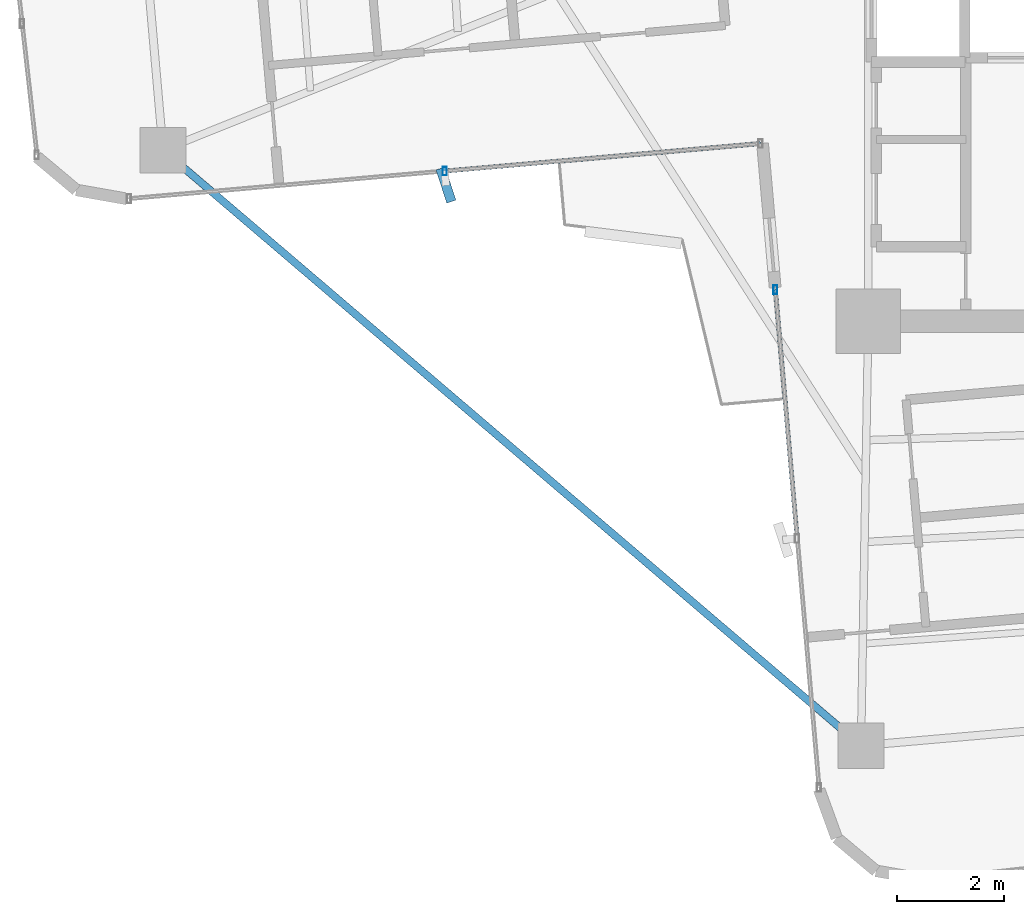
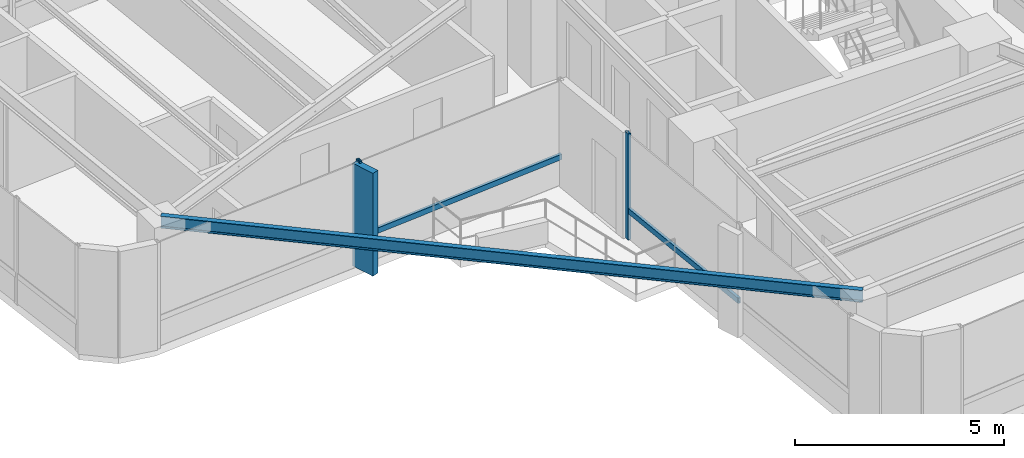
# One storey, part 4 of 24: 5 members, 1 beam, 2 elements without a shape of their own.
"""IFC4 building model written with IfcOpenShell, lengths in metres."""

from ifc_helpers import new_model, si_unit, direction, frame, origin, origin_2d, place, context, subcontext, project, spatial, rectangle, hollow_rectangle, i_section, extrude, source, transform, mapped, material, material_profile, profile_set, type_object, element, aggregate, save


model = new_model("IFC4")

# Units and contexts
model_context = context("Model", 3, precision=1e-05, world=origin(), true_north=direction((0.0, 1.0)))
body_context = subcontext(model_context, "Body", "Model", "MODEL_VIEW")
ifc_project = project(units=[si_unit("LENGTHUNIT", "METRE"), si_unit("AREAUNIT", "SQUARE_METRE"), si_unit("VOLUMEUNIT", "CUBIC_METRE"), si_unit("PLANEANGLEUNIT", "RADIAN"), si_unit("MASSUNIT", "GRAM", prefix="KILO")], contexts=[model_context])

# Site, building, storey
site_placement = place(None, origin())
site = spatial("IfcSite", under=ifc_project, at=site_placement, CompositionType="ELEMENT")
building_placement = place(site_placement, origin())
building = spatial("IfcBuilding", under=site, at=building_placement, Name="Sahyath Konkavel Grand Hotel", CompositionType="ELEMENT")
storey_placement = place(building_placement, frame((0.0, 0.0, 195.300048828125)))
storey = spatial("IfcBuildingStorey", under=building, at=storey_placement, Name="L54", CompositionType="ELEMENT", Elevation=195.300048828125)

# Beam
ifc_material_1 = material(Name="Steel E350", Category="steel")
ifc_material_profile_1 = material_profile(ifc_material_1, i_section(OverallWidth=0.139892578125, OverallDepth=0.35009765625, WebThickness=0.008056640625, FlangeThickness=0.01416015625, FilletRadius=0.013916015625, at=origin_2d()), Name="ISMB 350")
ifc_profile_set_1 = profile_set([ifc_material_profile_1], Name="Steel E350")
beam_type = type_object("IfcBeamType", Name="BM-ISMB350", PredefinedType="BEAM", material=ifc_profile_set_1)
shared_shape_1 = source(origin(), body_context, "Body", "SweptSolid", [
    extrude(i_section(OverallWidth=0.139892578125, OverallDepth=0.35009765625, WebThickness=0.008056640625, FlangeThickness=0.01416015625, FilletRadius=0.013916015625, at=origin_2d()), origin(), (0.0, 0.0, 1.0), 17.11279296875),
])
beam_placement = place(storey_placement, frame((-16.9541015625, -7.00439453125, 2.93505859375), z_axis=(0.760711911164, -0.649089661151, 0.0), x_axis=(0.649089661151, 0.760711911164, 0.0)))
element("IfcBeam", 1, at=beam_placement, inside=storey, type_object=beam_type, Name="L54 Re-Entrant Tie Beam SW", PredefinedType="BEAM", context=body_context, shape_type="MappedRepresentation", body=[
    mapped(shared_shape_1, transform((0.0, 0.0, 0.0), scale=1.0)),
])

# Curtain wall, member
ifc_material_2 = material(Name="Anodised Bronze Aluminium & Low-E Glazing", Category="aluminium")
curtain_wall_type = type_object("IfcCurtainWallType", Name="CW-ZONE3", PredefinedType="NOTDEFINED", material=ifc_material_2)
curtain_wall_1_placement = place(storey_placement, origin())
curtain_wall_1 = element("IfcCurtainWall", 2, at=curtain_wall_1_placement, inside=storey, type_object=curtain_wall_type, Name="L54 Unitised Curtain Wall F23", PredefinedType="NOTDEFINED")
ifc_material_3 = material(Name="Anodised Bronze Aluminium", Category="aluminium")
ifc_material_profile_2 = material_profile(ifc_material_3, hollow_rectangle(XDim=0.080078125, YDim=0.159912109375, WallThickness=0.006103515625, at=origin_2d()), Name="RHS 160x80x6")
ifc_profile_set_2 = profile_set([ifc_material_profile_2], Name="Anodised Bronze Aluminium")
member_type_1 = type_object("IfcMemberType", Name="CW-MUL-160", PredefinedType="MULLION", material=ifc_profile_set_2)
shared_shape_2 = source(origin(), body_context, "Body", "SweptSolid", [
    extrude(hollow_rectangle(XDim=0.080078125, YDim=0.159912109375, WallThickness=0.006103515625, at=origin_2d()), origin(), (0.0, 0.0, 1.0), 3.10986328125),
])
member_1_placement = place(storey_placement, frame((-11.69970703125, -7.39794921875, 0.0), z_axis=(0.0, 0.0, 1.0), x_axis=(1.0, 0.0, 0.0)))
member_1 = element("IfcMember", 3, at=member_1_placement, type_object=member_type_1, Name="L54 Curtain Wall Mullion F23-1", PredefinedType="MULLION", context=body_context, shape_type="MappedRepresentation", body=[
    mapped(shared_shape_2, transform((0.0, 0.0, 0.0), scale=1.0)),
])

curtain_wall_2_placement = place(storey_placement, origin())
curtain_wall_2 = element("IfcCurtainWall", 4, at=curtain_wall_2_placement, inside=storey, type_object=curtain_wall_type, Name="L54 Unitised Curtain Wall F24", PredefinedType="NOTDEFINED")
member_2_placement = place(storey_placement, frame((-5.53369140625, -9.60888671875, 0.0), z_axis=(0.0, 0.0, 1.0), x_axis=(1.0, 0.0, 0.0)))
member_2 = element("IfcMember", 5, at=member_2_placement, type_object=member_type_1, Name="L54 Curtain Wall Mullion F24-0", PredefinedType="MULLION", context=body_context, shape_type="MappedRepresentation", body=[
    mapped(shared_shape_2, transform((0.0, 0.0, 0.0), scale=1.0)),
])

# Member
ifc_material_4 = material(Name="Warm Buff Sandstone Cladding on Concrete C50/60", Category="masonry")
ifc_material_profile_3 = material_profile(ifc_material_4, rectangle(XDim=0.179931640625, YDim=0.64990234375, at=origin_2d()), Name="FIN 180x650")
ifc_profile_set_3 = profile_set([ifc_material_profile_3], Name="Warm Buff Sandstone Cladding on Concrete C50/60")
member_type_2 = type_object("IfcMemberType", Name="FIN-SANDSTONE-650", PredefinedType="MULLION", material=ifc_profile_set_3)
shared_shape_3 = source(origin(), body_context, "Body", "SweptSolid", [
    extrude(rectangle(XDim=0.179931640625, YDim=0.64990234375, at=origin_2d()), origin(), (0.0, 0.0, 1.0), 3.010009765625),
])
member_3_placement = place(storey_placement, frame((-11.677001953125, -7.656982421875, 0.050048828125), z_axis=(0.0, 0.0, 1.0), x_axis=(0.951056516295, 0.309016994375, 0.0)))
member_3 = element("IfcMember", 6, at=member_3_placement, type_object=member_type_2, Name="L54 Sandstone Vertical Solar Fin FIN F23-1", PredefinedType="MULLION", context=body_context, shape_type="MappedRepresentation", body=[
    mapped(shared_shape_3, transform((0.0, 0.0, 0.0), scale=1.0)),
])

ifc_material_profile_4 = material_profile(ifc_material_3, hollow_rectangle(XDim=0.080078125, YDim=0.159912109375, WallThickness=0.006103515625, at=origin_2d()), Name="RHS 160x80x6")
ifc_profile_set_4 = profile_set([ifc_material_profile_4], Name="Anodised Bronze Aluminium")
member_type_3 = type_object("IfcMemberType", Name="CW-TRN-160", PredefinedType="USERDEFINED", material=ifc_profile_set_4)
shared_shape_4 = source(origin(), body_context, "Body", "SweptSolid", [
    extrude(hollow_rectangle(XDim=0.080078125, YDim=0.159912109375, WallThickness=0.006103515625, at=origin_2d()), origin(), (0.0, 0.0, 1.0), 5.909912109375),
])
member_4_placement = place(storey_placement, frame((-11.69970703125, -7.39794921875, 0.849853515625), z_axis=(0.996193941691, 0.087164388014, 0.0), x_axis=(-0.087164388014, 0.996193941691, 0.0)))
member_4 = element("IfcMember", 7, at=member_4_placement, type_object=member_type_3, Name="L54 Curtain Wall Transom F23-1-spandrel", ObjectType="TRANSOM", PredefinedType="USERDEFINED", context=body_context, shape_type="MappedRepresentation", body=[
    mapped(shared_shape_4, transform((0.0, 0.0, 0.0), scale=1.0)),
])

aggregate(curtain_wall_1, [member_1, member_3, member_4])

shared_shape_5 = source(origin(), body_context, "Body", "SweptSolid", [
    extrude(hollow_rectangle(XDim=0.080078125, YDim=0.159912109375, WallThickness=0.006103515625, at=origin_2d()), origin(), (0.0, 0.0, 1.0), 4.66015625),
])
member_5_placement = place(storey_placement, frame((-5.53369140625, -9.60888671875, 0.849853515625), z_axis=(0.087176698736, -0.996192864458, 0.0), x_axis=(0.996192864458, 0.087176698736, 0.0)))
member_5 = element("IfcMember", 8, at=member_5_placement, type_object=member_type_3, Name="L54 Curtain Wall Transom F24-0-spandrel", ObjectType="TRANSOM", PredefinedType="USERDEFINED", context=body_context, shape_type="MappedRepresentation", body=[
    mapped(shared_shape_5, transform((0.0, 0.0, 0.0), scale=1.0)),
])

aggregate(curtain_wall_2, [member_2, member_5])

save(model, "model.ifc")
